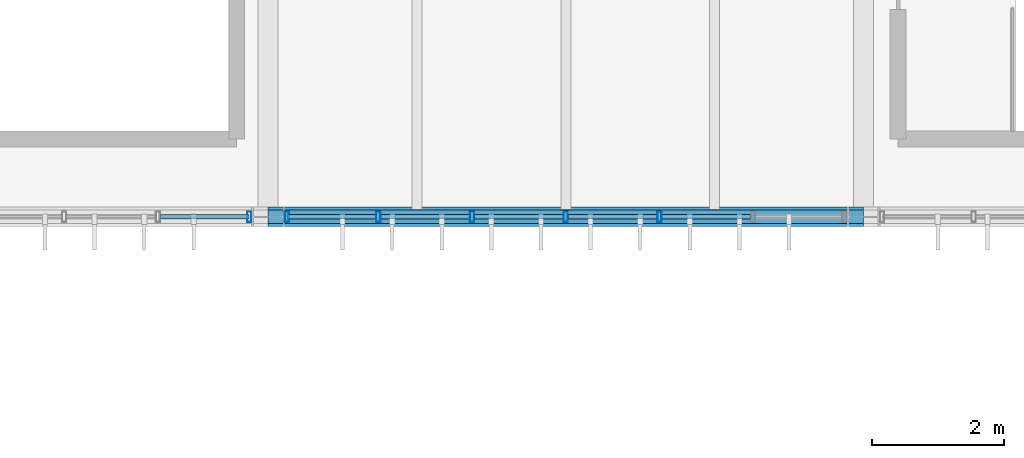
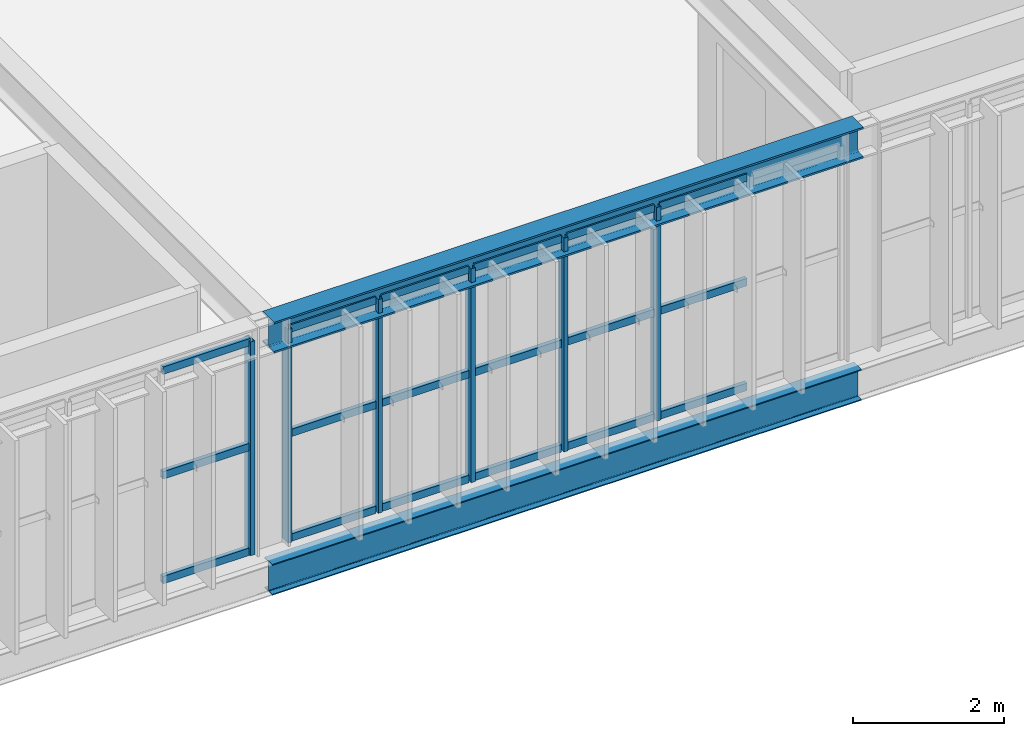
# One storey, part 24 of 152: 24 members, 2 beams, 2 elements without a shape of their own.
"""IFC4 building model written with IfcOpenShell, lengths in metres."""

from ifc_helpers import new_model, si_unit, derived_unit, direction, frame, origin, origin_2d, place, context, subcontext, project, spatial, hollow_rectangle, i_section, extrude, material, material_profile, profile_set, type_object, element, aggregate, save


model = new_model("IFC4")

# Units and contexts
model_context = context("Model", 3, precision=1e-05, world=origin(), true_north=direction((0.0, 1.0)))
body_context = subcontext(model_context, "Body", "Model", "MODEL_VIEW")
ifc_project = project(units=[si_unit("LENGTHUNIT", "METRE"), si_unit("AREAUNIT", "SQUARE_METRE"), si_unit("VOLUMEUNIT", "CUBIC_METRE"), si_unit("PLANEANGLEUNIT", "RADIAN"), si_unit("MASSUNIT", "GRAM", prefix="KILO"), si_unit("THERMODYNAMICTEMPERATUREUNIT", "KELVIN"), si_unit("TIMEUNIT", "SECOND"), derived_unit("THERMALTRANSMITTANCEUNIT", [(si_unit("MASSUNIT", "GRAM", prefix="KILO"), 1), (si_unit("THERMODYNAMICTEMPERATUREUNIT", "KELVIN"), -1), (si_unit("TIMEUNIT", "SECOND"), -3)])], contexts=[model_context])

# Site, building, storey
site_placement = place(None, origin())
site = spatial("IfcSite", under=ifc_project, at=site_placement, CompositionType="ELEMENT")
building_placement = place(site_placement, origin())
building = spatial("IfcBuilding", under=site, at=building_placement, Name="Cambertide Market Hall", CompositionType="ELEMENT")
storey_placement = place(building_placement, frame((0.0, 0.0, 5.39990234375)))
storey = spatial("IfcBuildingStorey", under=building, at=storey_placement, Name="L02", CompositionType="ELEMENT", Elevation=5.39990234375)

# Curtain wall, member
ifc_material_1 = material(Name="Marine Anodized Aluminium 6063-T6 AA25", Category="aluminium")
curtain_wall_type = type_object("IfcCurtainWallType", Name="Lantern Straight Upper Curtain Wall", PredefinedType="USERDEFINED", material=ifc_material_1)
curtain_wall_1_placement = place(storey_placement, origin())
curtain_wall_1 = element("IfcCurtainWall", 1, at=curtain_wall_1_placement, inside=storey, type_object=curtain_wall_type, Name="Level 2 Curtain Wall CW-V1S-L02-3", ObjectType="UNITIZED CURTAIN WALL", PredefinedType="USERDEFINED")
ifc_material_2 = material(Name="Champagne Marine Anodized Aluminium 6063-T6 AA25", Category="aluminium")
ifc_material_profile_1 = material_profile(ifc_material_2, hollow_rectangle(XDim=0.06494140625, YDim=0.159912109375, WallThickness=0.00341796875, at=origin_2d()), Name="ALU MULLION 65x160")
ifc_profile_set_1 = profile_set([ifc_material_profile_1], Name="Champagne Marine Anodized Aluminium 6063-T6 AA25")
member_type_1 = type_object("IfcMemberType", Name="Curtain Wall Mullion ALU MULLION 65x160", PredefinedType="MULLION", material=ifc_profile_set_1)
member_1_placement = place(storey_placement, frame((68.715087890625, 52.0, 0.0), z_axis=(0.0, 0.0, 1.0), x_axis=(-1.0, 0.0, 0.0)))
member_1 = element("IfcMember", 2, at=member_1_placement, type_object=member_type_1, Name="CW-V1S-L02-3 Mullion 1", PredefinedType="MULLION", context=body_context, shape_type="SweptSolid", body=[
    extrude(hollow_rectangle(XDim=0.06494140625, YDim=0.159912109375, WallThickness=0.00341796875, at=origin_2d()), origin(), (0.0, 0.0, 1.0), 3.4501953125),
])

# Curtain wall, members
curtain_wall_2_placement = place(storey_placement, origin())
curtain_wall_2 = element("IfcCurtainWall", 3, at=curtain_wall_2_placement, inside=storey, type_object=curtain_wall_type, Name="Level 2 Curtain Wall CW-V1S-L02-4", ObjectType="UNITIZED CURTAIN WALL", PredefinedType="USERDEFINED")
member_2_placement = place(storey_placement, frame((74.916748046875, 52.0, 0.0), z_axis=(0.0, 0.0, 1.0), x_axis=(-1.0, 0.0, 0.0)))
member_2 = element("IfcMember", 4, at=member_2_placement, type_object=member_type_1, Name="CW-V1S-L02-4 Mullion 3", PredefinedType="MULLION", context=body_context, shape_type="SweptSolid", body=[
    extrude(hollow_rectangle(XDim=0.06494140625, YDim=0.159912109375, WallThickness=0.00341796875, at=origin_2d()), origin(), (0.0, 0.0, 1.0), 3.4501953125),
])
member_3_placement = place(storey_placement, frame((73.5, 52.0, 0.0), z_axis=(0.0, 0.0, 1.0), x_axis=(-1.0, 0.0, 0.0)))
member_3 = element("IfcMember", 5, at=member_3_placement, type_object=member_type_1, Name="CW-V1S-L02-4 Mullion 4", PredefinedType="MULLION", context=body_context, shape_type="SweptSolid", body=[
    extrude(hollow_rectangle(XDim=0.06494140625, YDim=0.159912109375, WallThickness=0.00341796875, at=origin_2d()), origin(), (0.0, 0.0, 1.0), 3.4501953125),
])
member_4_placement = place(storey_placement, frame((72.083251953125, 52.0, 0.0), z_axis=(0.0, 0.0, 1.0), x_axis=(-1.0, 0.0, 0.0)))
member_4 = element("IfcMember", 6, at=member_4_placement, type_object=member_type_1, Name="CW-V1S-L02-4 Mullion 5", PredefinedType="MULLION", context=body_context, shape_type="SweptSolid", body=[
    extrude(hollow_rectangle(XDim=0.06494140625, YDim=0.159912109375, WallThickness=0.00341796875, at=origin_2d()), origin(), (0.0, 0.0, 1.0), 3.4501953125),
])
member_5_placement = place(storey_placement, frame((70.666748046875, 52.0, 0.0), z_axis=(0.0, 0.0, 1.0), x_axis=(-1.0, 0.0, 0.0)))
member_5 = element("IfcMember", 7, at=member_5_placement, type_object=member_type_1, Name="CW-V1S-L02-4 Mullion 6", PredefinedType="MULLION", context=body_context, shape_type="SweptSolid", body=[
    extrude(hollow_rectangle(XDim=0.06494140625, YDim=0.159912109375, WallThickness=0.00341796875, at=origin_2d()), origin(), (0.0, 0.0, 1.0), 3.4501953125),
])
member_6_placement = place(storey_placement, frame((69.284912109375, 52.0, 0.0), z_axis=(0.0, 0.0, 1.0), x_axis=(-1.0, 0.0, 0.0)))
member_6 = element("IfcMember", 8, at=member_6_placement, type_object=member_type_1, Name="CW-V1S-L02-4 Mullion 7", PredefinedType="MULLION", context=body_context, shape_type="SweptSolid", body=[
    extrude(hollow_rectangle(XDim=0.06494140625, YDim=0.159912109375, WallThickness=0.00341796875, at=origin_2d()), origin(), (0.0, 0.0, 1.0), 3.4501953125),
])

# Member
ifc_material_3 = material(Name="Champagne Marine Anodized Aluminium 6063-T6 AA25", Category="aluminium")
ifc_material_profile_2 = material_profile(ifc_material_3, hollow_rectangle(XDim=0.06494140625, YDim=0.1201171875, WallThickness=0.003173828125, at=origin_2d()), Name="ALU TRANSOM 65x120")
ifc_profile_set_2 = profile_set([ifc_material_profile_2], Name="Champagne Marine Anodized Aluminium 6063-T6 AA25")
member_type_2 = type_object("IfcMemberType", Name="Curtain Wall Transom ALU TRANSOM 65x120", PredefinedType="USERDEFINED", material=ifc_profile_set_2)
member_7_placement = place(storey_placement, frame((68.7099609375, 52.0, 0.03515625), z_axis=(-1.0, 0.0, 0.0), x_axis=(0.0, -1.0, 0.0)))
member_7 = element("IfcMember", 9, at=member_7_placement, type_object=member_type_2, Name="CW-V1S-L02-3 Transom 1-1", ObjectType="TRANSOM", PredefinedType="USERDEFINED", context=body_context, shape_type="SweptSolid", body=[
    extrude(hollow_rectangle(XDim=0.06494140625, YDim=0.1201171875, WallThickness=0.003173828125, at=origin_2d()), origin(), (0.0, 0.0, 1.0), 1.336669921875),
])

member_8_placement = place(storey_placement, frame((68.7099609375, 52.0, 1.72509765625), z_axis=(-1.0, 0.0, 0.0), x_axis=(0.0, -1.0, 0.0)))
member_8 = element("IfcMember", 10, at=member_8_placement, type_object=member_type_2, Name="CW-V1S-L02-3 Transom 2-1", ObjectType="TRANSOM", PredefinedType="USERDEFINED", context=body_context, shape_type="SweptSolid", body=[
    extrude(hollow_rectangle(XDim=0.06494140625, YDim=0.1201171875, WallThickness=0.003173828125, at=origin_2d()), origin(), (0.0, 0.0, 1.0), 1.336669921875),
])

member_9_placement = place(storey_placement, frame((68.7099609375, 52.0, 3.4150390625), z_axis=(-1.0, 0.0, 0.0), x_axis=(0.0, -1.0, 0.0)))
member_9 = element("IfcMember", 11, at=member_9_placement, type_object=member_type_2, Name="CW-V1S-L02-3 Transom 3-1", ObjectType="TRANSOM", PredefinedType="USERDEFINED", context=body_context, shape_type="SweptSolid", body=[
    extrude(hollow_rectangle(XDim=0.06494140625, YDim=0.1201171875, WallThickness=0.003173828125, at=origin_2d()), origin(), (0.0, 0.0, 1.0), 1.336669921875),
])

aggregate(curtain_wall_1, [member_1, member_7, member_8, member_9])

member_10_placement = place(storey_placement, frame((76.293212890625, 52.0, 0.03515625), z_axis=(-1.0, 0.0, 0.0), x_axis=(0.0, -1.0, 0.0)))
member_10 = element("IfcMember", 12, at=member_10_placement, type_object=member_type_2, Name="CW-V1S-L02-4 Transom 1-2", ObjectType="TRANSOM", PredefinedType="USERDEFINED", context=body_context, shape_type="SweptSolid", body=[
    extrude(hollow_rectangle(XDim=0.06494140625, YDim=0.1201171875, WallThickness=0.003173828125, at=origin_2d()), origin(), (0.0, 0.0, 1.0), 1.33642578125),
])

member_11_placement = place(storey_placement, frame((74.876708984375, 52.0, 0.03515625), z_axis=(-1.0, 0.0, 0.0), x_axis=(0.0, -1.0, 0.0)))
member_11 = element("IfcMember", 13, at=member_11_placement, type_object=member_type_2, Name="CW-V1S-L02-4 Transom 1-3", ObjectType="TRANSOM", PredefinedType="USERDEFINED", context=body_context, shape_type="SweptSolid", body=[
    extrude(hollow_rectangle(XDim=0.06494140625, YDim=0.1201171875, WallThickness=0.003173828125, at=origin_2d()), origin(), (0.0, 0.0, 1.0), 1.336669921875),
])

member_12_placement = place(storey_placement, frame((73.4599609375, 52.0, 0.03515625), z_axis=(-1.0, 0.0, 0.0), x_axis=(0.0, -1.0, 0.0)))
member_12 = element("IfcMember", 14, at=member_12_placement, type_object=member_type_2, Name="CW-V1S-L02-4 Transom 1-4", ObjectType="TRANSOM", PredefinedType="USERDEFINED", context=body_context, shape_type="SweptSolid", body=[
    extrude(hollow_rectangle(XDim=0.06494140625, YDim=0.1201171875, WallThickness=0.003173828125, at=origin_2d()), origin(), (0.0, 0.0, 1.0), 1.336669921875),
])

member_13_placement = place(storey_placement, frame((72.043212890625, 52.0, 0.03515625), z_axis=(-1.0, 0.0, 0.0), x_axis=(0.0, -1.0, 0.0)))
member_13 = element("IfcMember", 15, at=member_13_placement, type_object=member_type_2, Name="CW-V1S-L02-4 Transom 1-5", ObjectType="TRANSOM", PredefinedType="USERDEFINED", context=body_context, shape_type="SweptSolid", body=[
    extrude(hollow_rectangle(XDim=0.06494140625, YDim=0.1201171875, WallThickness=0.003173828125, at=origin_2d()), origin(), (0.0, 0.0, 1.0), 1.33642578125),
])

member_14_placement = place(storey_placement, frame((70.626708984375, 52.0, 0.03515625), z_axis=(-1.0, 0.0, 0.0), x_axis=(0.0, -1.0, 0.0)))
member_14 = element("IfcMember", 16, at=member_14_placement, type_object=member_type_2, Name="CW-V1S-L02-4 Transom 1-6", ObjectType="TRANSOM", PredefinedType="USERDEFINED", context=body_context, shape_type="SweptSolid", body=[
    extrude(hollow_rectangle(XDim=0.06494140625, YDim=0.1201171875, WallThickness=0.003173828125, at=origin_2d()), origin(), (0.0, 0.0, 1.0), 1.336669921875),
])

member_15_placement = place(storey_placement, frame((76.293212890625, 52.0, 1.72509765625), z_axis=(-1.0, 0.0, 0.0), x_axis=(0.0, -1.0, 0.0)))
member_15 = element("IfcMember", 17, at=member_15_placement, type_object=member_type_2, Name="CW-V1S-L02-4 Transom 2-2", ObjectType="TRANSOM", PredefinedType="USERDEFINED", context=body_context, shape_type="SweptSolid", body=[
    extrude(hollow_rectangle(XDim=0.06494140625, YDim=0.1201171875, WallThickness=0.003173828125, at=origin_2d()), origin(), (0.0, 0.0, 1.0), 1.33642578125),
])

member_16_placement = place(storey_placement, frame((74.876708984375, 52.0, 1.72509765625), z_axis=(-1.0, 0.0, 0.0), x_axis=(0.0, -1.0, 0.0)))
member_16 = element("IfcMember", 18, at=member_16_placement, type_object=member_type_2, Name="CW-V1S-L02-4 Transom 2-3", ObjectType="TRANSOM", PredefinedType="USERDEFINED", context=body_context, shape_type="SweptSolid", body=[
    extrude(hollow_rectangle(XDim=0.06494140625, YDim=0.1201171875, WallThickness=0.003173828125, at=origin_2d()), origin(), (0.0, 0.0, 1.0), 1.336669921875),
])

member_17_placement = place(storey_placement, frame((73.4599609375, 52.0, 1.72509765625), z_axis=(-1.0, 0.0, 0.0), x_axis=(0.0, -1.0, 0.0)))
member_17 = element("IfcMember", 19, at=member_17_placement, type_object=member_type_2, Name="CW-V1S-L02-4 Transom 2-4", ObjectType="TRANSOM", PredefinedType="USERDEFINED", context=body_context, shape_type="SweptSolid", body=[
    extrude(hollow_rectangle(XDim=0.06494140625, YDim=0.1201171875, WallThickness=0.003173828125, at=origin_2d()), origin(), (0.0, 0.0, 1.0), 1.336669921875),
])

member_18_placement = place(storey_placement, frame((72.043212890625, 52.0, 1.72509765625), z_axis=(-1.0, 0.0, 0.0), x_axis=(0.0, -1.0, 0.0)))
member_18 = element("IfcMember", 20, at=member_18_placement, type_object=member_type_2, Name="CW-V1S-L02-4 Transom 2-5", ObjectType="TRANSOM", PredefinedType="USERDEFINED", context=body_context, shape_type="SweptSolid", body=[
    extrude(hollow_rectangle(XDim=0.06494140625, YDim=0.1201171875, WallThickness=0.003173828125, at=origin_2d()), origin(), (0.0, 0.0, 1.0), 1.33642578125),
])

member_19_placement = place(storey_placement, frame((70.626708984375, 52.0, 1.72509765625), z_axis=(-1.0, 0.0, 0.0), x_axis=(0.0, -1.0, 0.0)))
member_19 = element("IfcMember", 21, at=member_19_placement, type_object=member_type_2, Name="CW-V1S-L02-4 Transom 2-6", ObjectType="TRANSOM", PredefinedType="USERDEFINED", context=body_context, shape_type="SweptSolid", body=[
    extrude(hollow_rectangle(XDim=0.06494140625, YDim=0.1201171875, WallThickness=0.003173828125, at=origin_2d()), origin(), (0.0, 0.0, 1.0), 1.336669921875),
])

member_20_placement = place(storey_placement, frame((76.293212890625, 52.0, 3.4150390625), z_axis=(-1.0, 0.0, 0.0), x_axis=(0.0, -1.0, 0.0)))
member_20 = element("IfcMember", 22, at=member_20_placement, type_object=member_type_2, Name="CW-V1S-L02-4 Transom 3-2", ObjectType="TRANSOM", PredefinedType="USERDEFINED", context=body_context, shape_type="SweptSolid", body=[
    extrude(hollow_rectangle(XDim=0.06494140625, YDim=0.1201171875, WallThickness=0.003173828125, at=origin_2d()), origin(), (0.0, 0.0, 1.0), 1.33642578125),
])

member_21_placement = place(storey_placement, frame((74.876708984375, 52.0, 3.4150390625), z_axis=(-1.0, 0.0, 0.0), x_axis=(0.0, -1.0, 0.0)))
member_21 = element("IfcMember", 23, at=member_21_placement, type_object=member_type_2, Name="CW-V1S-L02-4 Transom 3-3", ObjectType="TRANSOM", PredefinedType="USERDEFINED", context=body_context, shape_type="SweptSolid", body=[
    extrude(hollow_rectangle(XDim=0.06494140625, YDim=0.1201171875, WallThickness=0.003173828125, at=origin_2d()), origin(), (0.0, 0.0, 1.0), 1.336669921875),
])

member_22_placement = place(storey_placement, frame((73.4599609375, 52.0, 3.4150390625), z_axis=(-1.0, 0.0, 0.0), x_axis=(0.0, -1.0, 0.0)))
member_22 = element("IfcMember", 24, at=member_22_placement, type_object=member_type_2, Name="CW-V1S-L02-4 Transom 3-4", ObjectType="TRANSOM", PredefinedType="USERDEFINED", context=body_context, shape_type="SweptSolid", body=[
    extrude(hollow_rectangle(XDim=0.06494140625, YDim=0.1201171875, WallThickness=0.003173828125, at=origin_2d()), origin(), (0.0, 0.0, 1.0), 1.336669921875),
])

member_23_placement = place(storey_placement, frame((72.043212890625, 52.0, 3.4150390625), z_axis=(-1.0, 0.0, 0.0), x_axis=(0.0, -1.0, 0.0)))
member_23 = element("IfcMember", 25, at=member_23_placement, type_object=member_type_2, Name="CW-V1S-L02-4 Transom 3-5", ObjectType="TRANSOM", PredefinedType="USERDEFINED", context=body_context, shape_type="SweptSolid", body=[
    extrude(hollow_rectangle(XDim=0.06494140625, YDim=0.1201171875, WallThickness=0.003173828125, at=origin_2d()), origin(), (0.0, 0.0, 1.0), 1.33642578125),
])

member_24_placement = place(storey_placement, frame((70.626708984375, 52.0, 3.4150390625), z_axis=(-1.0, 0.0, 0.0), x_axis=(0.0, -1.0, 0.0)))
member_24 = element("IfcMember", 26, at=member_24_placement, type_object=member_type_2, Name="CW-V1S-L02-4 Transom 3-6", ObjectType="TRANSOM", PredefinedType="USERDEFINED", context=body_context, shape_type="SweptSolid", body=[
    extrude(hollow_rectangle(XDim=0.06494140625, YDim=0.1201171875, WallThickness=0.003173828125, at=origin_2d()), origin(), (0.0, 0.0, 1.0), 1.336669921875),
])

aggregate(curtain_wall_2, [member_2, member_3, member_4, member_5, member_6, member_10, member_11, member_12, member_13, member_14, member_15, member_16, member_17, member_18, member_19, member_20, member_21, member_22, member_23, member_24])

# Beams
ifc_material_4 = material(Name="Steel S355", Category="steel")
ifc_material_profile_3 = material_profile(ifc_material_4, i_section(OverallWidth=0.300048828125, OverallDepth=0.5, WebThickness=0.014404296875, FlangeThickness=0.028076171875, FilletRadius=0.027099609375, at=origin_2d()), Name="HEB 500")
ifc_profile_set_3 = profile_set([ifc_material_profile_3], Name="Steel S355")
beam_type_1 = type_object("IfcBeamType", Name="Exterior Steel Girder HEB 500", PredefinedType="BEAM", material=ifc_profile_set_3)
beam_1_placement = place(storey_placement, frame((69.0, 52.0, 3.4501953125), z_axis=(1.0, 0.0, 0.0), x_axis=(0.0, 1.0, 0.0)))
element("IfcBeam", 27, at=beam_1_placement, inside=storey, type_object=beam_type_1, Name="Level 2 Beam EAVE-V1S-4", PredefinedType="BEAM", context=body_context, shape_type="SweptSolid", body=[
    extrude(i_section(OverallWidth=0.300048828125, OverallDepth=0.5, WebThickness=0.014404296875, FlangeThickness=0.028076171875, FilletRadius=0.027099609375, at=origin_2d()), origin(), (0.0, 0.0, 1.0), 9.0),
])
ifc_material_5 = material(Name="Steel S355", Category="steel")
ifc_material_profile_4 = material_profile(ifc_material_5, i_section(OverallWidth=0.199951171875, OverallDepth=0.5, WebThickness=0.01025390625, FlangeThickness=0.01611328125, FilletRadius=0.02099609375, at=origin_2d()), Name="IPE 500")
ifc_profile_set_4 = profile_set([ifc_material_profile_4], Name="Steel S355")
beam_type_2 = type_object("IfcBeamType", Name="Perimeter Spandrel Beam IPE 500", PredefinedType="SPANDREL", material=ifc_profile_set_4)
beam_2_placement = place(storey_placement, frame((69.0, 52.0, -0.489990234375), z_axis=(1.0, 0.0, 0.0), x_axis=(0.0, 1.0, 0.0)))
element("IfcBeam", 28, at=beam_2_placement, inside=storey, type_object=beam_type_2, Name="Level 2 Spandrel BM-V1S-L02-4", PredefinedType="SPANDREL", context=body_context, shape_type="SweptSolid", body=[
    extrude(i_section(OverallWidth=0.199951171875, OverallDepth=0.5, WebThickness=0.01025390625, FlangeThickness=0.01611328125, FilletRadius=0.02099609375, at=origin_2d()), origin(), (0.0, 0.0, 1.0), 9.0),
])

save(model, "model.ifc")
